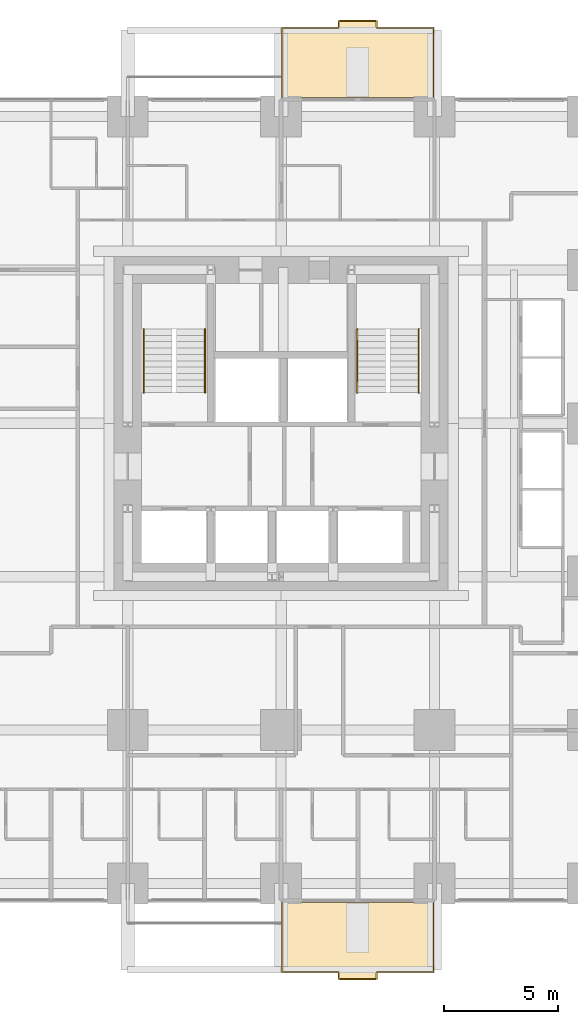
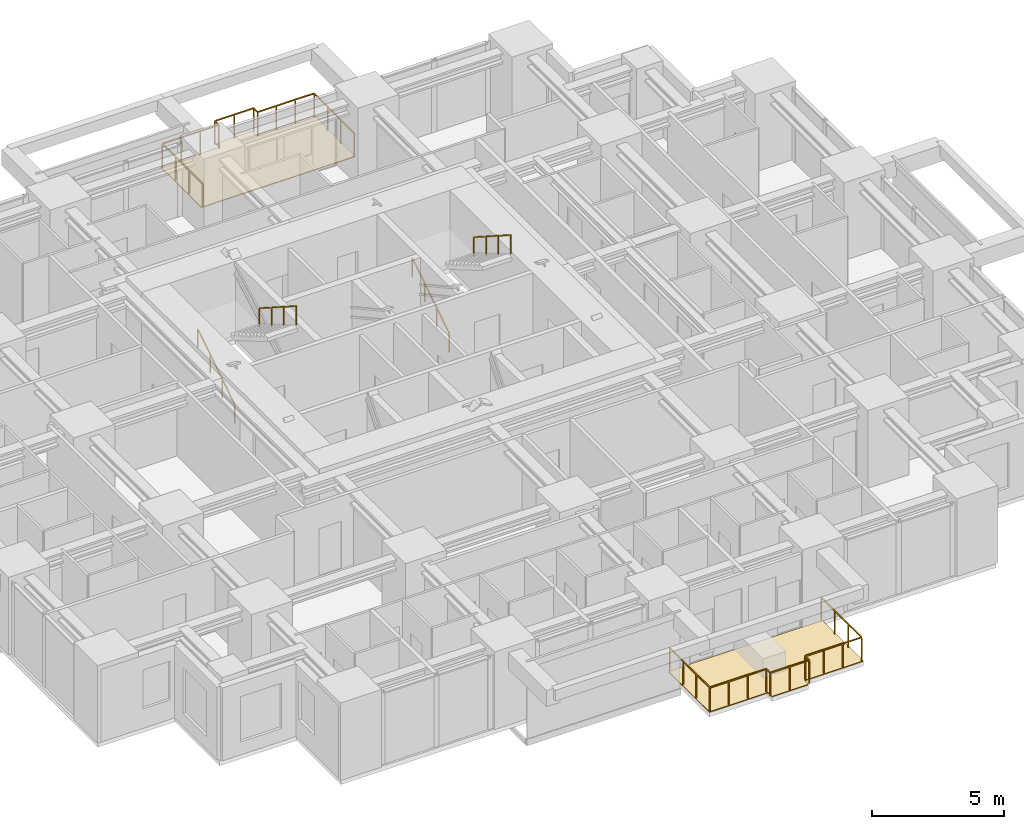
# One storey, part 13 of 13: 6 railings, 2 coverings.
"""IFC4 building model written with IfcOpenShell, lengths in metres."""

import ifcopenshell
import ifcopenshell.guid

model = None  # the IFC model being written
_history = None  # IfcOwnerHistory: only IFC2X3 demands one
_inside = {}  # id of a spatial element -> (the spatial element, [elements in it])
_under = {}  # id of a project, library or spatial element -> (it, [spatial elements below it])
_declared = {}  # id of a project -> (the project, [libraries it declares])
_typed = {}  # id of a type object -> (the type object, [elements of that type])
_made_of = {}  # id of a material, layer set ... -> (it, [elements and type objects made of it])


def new_model(schema):
    """Start an empty IFC model of exactly this schema.

    Asked for "IFC4X3", IfcOpenShell would pick the latest addendum, in which some entities
    have other attributes; the version numbers below select the first issue.
    IFC2X3 requires an IfcOwnerHistory on every rooted entity: one is made here for all.
    """
    global model, _history
    if schema == "IFC4X3":
        model = ifcopenshell.file(schema_version=(4, 3, 0, 0))
    else:
        model = ifcopenshell.file(schema=schema)
    _inside.clear()
    _under.clear()
    _declared.clear()
    _typed.clear()
    _made_of.clear()
    _history = None
    if model.schema == "IFC2X3":
        org = make("IfcOrganization", Name="unknown")
        user = make(
            "IfcPersonAndOrganization",
            ThePerson=make("IfcPerson", FamilyName="unknown"),
            TheOrganization=org,
        )
        app = make(
            "IfcApplication",
            ApplicationDeveloper=org,
            Version="unknown",
            ApplicationFullName="unknown",
            ApplicationIdentifier="unknown",
        )
        _history = make(
            "IfcOwnerHistory",
            OwningUser=user,
            OwningApplication=app,
            ChangeAction="ADDED",
            CreationDate=0,
        )
    return model


def make(cls, **values):
    """One entity of the class cls with the attributes given. An attribute that is None is left unset."""
    return model.create_entity(
        cls, **{name: value for name, value in values.items() if value is not None}
    )


def rooted(cls, **values):
    """An entity with a GlobalId (a new one), such as an element, a storey or a relation."""
    return make(cls, GlobalId=ifcopenshell.guid.new(), OwnerHistory=_history, **values)


def si_unit(unit_type, name, prefix=None):
    """IfcSIUnit, for example si_unit("LENGTHUNIT", "METRE", prefix="MILLI")."""
    return make("IfcSIUnit", UnitType=unit_type, Prefix=prefix, Name=name)


def assignment(units):
    """IfcUnitAssignment: the units of a project."""
    return None if units is None else make("IfcUnitAssignment", Units=units)


def point(xyz):
    """IfcCartesianPoint."""
    return None if xyz is None else make("IfcCartesianPoint", Coordinates=xyz)


def direction(xyz):
    """IfcDirection."""
    return None if xyz is None else make("IfcDirection", DirectionRatios=xyz)


def frame(location, z_axis=None, x_axis=None):
    """IfcAxis2Placement3D, a coordinate frame: its origin and axes. An axis left out is left unset."""
    return make(
        "IfcAxis2Placement3D",
        Location=point(location),
        Axis=direction(z_axis),
        RefDirection=direction(x_axis),
    )


def frame_2d(location, x_axis=None):
    """IfcAxis2Placement2D, a coordinate frame in the plane: its origin and x axis."""
    return make(
        "IfcAxis2Placement2D", Location=point(location), RefDirection=direction(x_axis)
    )


def origin():
    """The frame at (0, 0, 0) with its axes left unset."""
    return frame((0.0, 0.0, 0.0))


def origin_2d():
    """The frame at (0, 0) in the plane with its x axis left unset."""
    return frame_2d((0.0, 0.0))


def place(relative_to, where):
    """IfcLocalPlacement: puts the frame where relative to a parent placement (None: the world)."""
    return make(
        "IfcLocalPlacement", PlacementRelTo=relative_to, RelativePlacement=where
    )


def context(
    kind, dimensions, precision=None, world=None, true_north=None, identifier=None
):
    """IfcGeometricRepresentationContext, for example the 3D "Model" context."""
    return make(
        "IfcGeometricRepresentationContext",
        ContextIdentifier=identifier,
        ContextType=kind,
        CoordinateSpaceDimension=dimensions,
        Precision=precision,
        WorldCoordinateSystem=world,
        TrueNorth=true_north,
    )


def subcontext(parent, identifier, kind, view, scale=None):
    """IfcGeometricRepresentationSubContext, for example "Body" below "Model"."""
    return make(
        "IfcGeometricRepresentationSubContext",
        ContextIdentifier=identifier,
        ContextType=kind,
        ParentContext=parent,
        TargetScale=scale,
        TargetView=view,
    )


def project(units=None, contexts=None):
    """IfcProject with its units and contexts."""
    return rooted(
        "IfcProject",
        Name="project",
        RepresentationContexts=contexts,
        UnitsInContext=assignment(units),
    )


def spatial(cls, under=None, at=None, **own):
    """A site, building, storey or space (cls), placed at a placement, below another one or the project."""
    s = rooted(cls, ObjectPlacement=at, **own)
    if under is not None:
        _under.setdefault(under.id(), (under, []))[1].append(s)
    return s


def polyline(points):
    """IfcPolyline through the points."""
    return make("IfcPolyline", Points=[point(p) for p in points])


def profile(cls, at=None, kind="AREA", **sizes):
    """A parametric profile (cls). Its sizes go by their IFC names, for example OverallWidth=200.0."""
    return make(cls, ProfileType=kind, Position=at, **sizes)


def rectangle(**sizes):
    """IfcRectangleProfileDef."""
    return profile("IfcRectangleProfileDef", **sizes)


def outline(outer, holes=None, kind="AREA"):
    """IfcArbitraryClosedProfileDef: a profile drawn as a closed curve; with holes, ...WithVoids."""
    if holes is None:
        return make("IfcArbitraryClosedProfileDef", ProfileType=kind, OuterCurve=outer)
    return make(
        "IfcArbitraryProfileDefWithVoids",
        ProfileType=kind,
        OuterCurve=outer,
        InnerCurves=holes,
    )


def extrude(swept, where, along, depth):
    """IfcExtrudedAreaSolid: the profile swept, set in the frame where, extruded along a direction by depth."""
    return make(
        "IfcExtrudedAreaSolid",
        SweptArea=swept,
        Position=where,
        ExtrudedDirection=direction(along),
        Depth=depth,
    )


def shape(context_of_items, identifier, shape_type, items):
    """IfcShapeRepresentation: the items that make up one representation, for example the "Body"."""
    return make(
        "IfcShapeRepresentation",
        ContextOfItems=context_of_items,
        RepresentationIdentifier=identifier,
        RepresentationType=shape_type,
        Items=items,
    )


def material(Name=None, Category=None):
    """IfcMaterial."""
    return make("IfcMaterial", Name=Name, Category=Category)


def layer(
    of_material, thickness, ventilated=None, Name=None, Category=None, Priority=None
):
    """IfcMaterialLayer: one layer of a wall or slab, of a material (None: an air gap)."""
    return make(
        "IfcMaterialLayer",
        Material=of_material,
        LayerThickness=thickness,
        IsVentilated=ventilated,
        Name=Name,
        Category=Category,
        Priority=Priority,
    )


def layer_set(layers, Name=None):
    """IfcMaterialLayerSet."""
    return make("IfcMaterialLayerSet", MaterialLayers=layers, LayerSetName=Name)


def made_of(thing, what):
    """Note that an element or type object is made of a material, layer set ...; save() writes the relation."""
    if what is not None:
        _made_of.setdefault(what.id(), (what, []))[1].append(thing)
    return thing


def type_object(cls, material=None, **own):
    """A type object (cls), such as IfcWallType, which elements share."""
    return made_of(rooted(cls, **own), material)


def element(
    cls,
    number,
    at=None,
    inside=None,
    cuts=None,
    type_object=None,
    material=None,
    context=None,
    identifier="Body",
    shape_type=None,
    held_by="IfcProductDefinitionShape",
    body=None,
    shapes=None,
    **own,
):
    """One element of the class cls, such as IfcWall. Its Tag is "e" and its number.

    at: its placement. inside: the storey or other place that contains it. cuts: it is an
    opening in that element (IfcRelVoidsElement). A single representation is given by context,
    identifier, shape_type and body (its items); several are given by shapes. held_by: the class
    of the entity that holds the representations. save() writes the other relations.
    """
    e = rooted(cls, Tag="e%d" % number, ObjectPlacement=at, **own)
    if body is not None:
        shapes = [shape(context, identifier, shape_type, body)]
    if shapes is not None:
        e.Representation = make(held_by, Representations=shapes)
    if inside is not None:
        _inside.setdefault(inside.id(), (inside, []))[1].append(e)
    if cuts is not None:
        rooted(
            "IfcRelVoidsElement", RelatingBuildingElement=cuts, RelatedOpeningElement=e
        )
    if type_object is not None:
        _typed.setdefault(type_object.id(), (type_object, []))[1].append(e)
    return made_of(e, material)


def aggregate(whole, parts):
    """IfcRelAggregates: a whole, such as a stair, and the parts it consists of."""
    return rooted("IfcRelAggregates", RelatingObject=whole, RelatedObjects=parts)


def save(model, path):
    """Write the relations noted so far, then the file.

    IfcRelAggregates (storeys below a building ...), IfcRelContainedInSpatialStructure (elements
    in a storey), IfcRelDefinesByType, IfcRelAssociatesMaterial and IfcRelDeclares: one each for
    every whole, place, type object, material and project.
    """
    for whole, parts in _under.values():
        aggregate(whole, parts)
    for where, things in _inside.values():
        rooted(
            "IfcRelContainedInSpatialStructure",
            RelatedElements=things,
            RelatingStructure=where,
        )
    for kind, things in _typed.values():
        rooted("IfcRelDefinesByType", RelatedObjects=things, RelatingType=kind)
    for what, things in _made_of.values():
        rooted("IfcRelAssociatesMaterial", RelatedObjects=things, RelatingMaterial=what)
    for by, libraries in _declared.values():
        rooted("IfcRelDeclares", RelatingContext=by, RelatedDefinitions=libraries)
    model.write(path)


model = new_model("IFC4")

# Units and contexts
model_context = context("Model", 3, precision=1e-05, world=origin(), true_north=direction((0.0, 1.0)))
body_context = subcontext(model_context, "Body", "Model", "MODEL_VIEW")
ifc_project = project(units=[si_unit("LENGTHUNIT", "METRE"), si_unit("AREAUNIT", "SQUARE_METRE"), si_unit("VOLUMEUNIT", "CUBIC_METRE"), si_unit("PLANEANGLEUNIT", "RADIAN"), si_unit("MASSUNIT", "GRAM", prefix="KILO")], contexts=[model_context])

# Site, building, storey
site_placement = place(None, origin())
site = spatial("IfcSite", under=ifc_project, at=site_placement, CompositionType="ELEMENT")
building_placement = place(site_placement, origin())
building = spatial("IfcBuilding", under=site, at=building_placement, Name="Nyansa Garden Tower", CompositionType="ELEMENT")
storey_placement = place(building_placement, frame((0.0, 0.0, 105.300048828125)))
storey = spatial("IfcBuildingStorey", under=building, at=storey_placement, Name="L28", CompositionType="ELEMENT", Elevation=105.300048828125)

# Coverings
ifc_material_1 = material(Name="Hardwood decking on pedestals", Category="wood")
ifc_layer = layer(ifc_material_1, 0.0400390625)
ifc_layer_set = layer_set([ifc_layer], Name="Balcony decking DK40")
covering_type = type_object("IfcCoveringType", Name="Balcony decking DK40", PredefinedType="FLOORING", material=ifc_layer_set)
covering_1_placement = place(storey_placement, frame((0.0, 0.0, -0.0400390625)))
element("IfcCovering", 1, at=covering_1_placement, inside=storey, type_object=covering_type, Name="Balcony decking L28", PredefinedType="FLOORING", context=body_context, shape_type="SweptSolid", body=[
    extrude(outline(polyline([(20.25, -0.85009765625), (27.0, -0.85009765625), (27.0, -3.949951171875), (24.425048828125, -3.949951171875), (24.425048828125, -4.25), (22.824951171875, -4.25), (22.824951171875, -3.949951171875), (20.25, -3.949951171875), (20.25, -0.85009765625)])), origin(), (0.0, 0.0, 1.0), 0.0400390625),
])
covering_2_placement = place(storey_placement, frame((0.0, 0.0, -0.0400390625)))
element("IfcCovering", 2, at=covering_2_placement, inside=storey, type_object=covering_type, Name="Balcony decking L28", PredefinedType="FLOORING", context=body_context, shape_type="SweptSolid", body=[
    extrude(outline(polyline([(20.25, 34.60009765625), (27.0, 34.60009765625), (27.0, 37.699951171875), (24.425048828125, 37.699951171875), (24.425048828125, 38.0), (22.824951171875, 38.0), (22.824951171875, 37.699951171875), (20.25, 37.699951171875), (20.25, 34.60009765625)])), origin(), (0.0, 0.0, 1.0), 0.0400390625),
])

# Railings
ifc_material_2 = material(Name="Black powder-coated steel balusters, laminated glass infill", Category="steel")
railing_type_1 = type_object("IfcRailingType", Name="Balcony guard G1", PredefinedType="GUARDRAIL", material=ifc_material_2)
railing_1_placement = place(storey_placement, frame((20.300048828125, -0.85009765625, 0.0)))
element("IfcRailing", 3, at=railing_1_placement, inside=storey, type_object=railing_type_1, Name="Balcony guard L28", PredefinedType="GUARDRAIL", context=body_context, shape_type="SweptSolid", body=[
    extrude(rectangle(XDim=0.048095703125, YDim=0.048095703125, at=origin_2d()), frame((0.0, 0.0, 1.076171875), z_axis=(0.0, -1.0, 0.0), x_axis=(1.0, 0.0, 0.0)), (0.0, 0.0, 1.0), 3.0498046875),
    extrude(rectangle(XDim=0.048095703125, YDim=0.048095703125, at=origin_2d()), frame((0.0, -3.0498046875, 1.076171875), z_axis=(1.0, 0.0, 0.0), x_axis=(0.0, 1.0, 0.0)), (0.0, 0.0, 1.0), 2.474853515625),
    extrude(rectangle(XDim=0.048095703125, YDim=0.048095703125, at=origin_2d()), frame((2.474853515625, -3.0498046875, 1.076171875), z_axis=(0.0, -1.0, 0.0), x_axis=(1.0, 0.0, 0.0)), (0.0, 0.0, 1.0), 0.300048828125),
    extrude(rectangle(XDim=0.048095703125, YDim=0.048095703125, at=origin_2d()), frame((2.474853515625, -3.349853515625, 1.076171875), z_axis=(1.0, 0.0, 0.0), x_axis=(0.0, 1.0, 0.0)), (0.0, 0.0, 1.0), 1.7001953125),
    extrude(rectangle(XDim=0.048095703125, YDim=0.048095703125, at=origin_2d()), frame((4.175048828125, -3.349853515625, 1.076171875), z_axis=(0.0, 1.0, 0.0), x_axis=(-1.0, 0.0, 0.0)), (0.0, 0.0, 1.0), 0.300048828125),
    extrude(rectangle(XDim=0.048095703125, YDim=0.048095703125, at=origin_2d()), frame((4.175048828125, -3.0498046875, 1.076171875), z_axis=(1.0, 0.0, 0.0), x_axis=(0.0, 1.0, 0.0)), (0.0, 0.0, 1.0), 2.474853515625),
    extrude(rectangle(XDim=0.048095703125, YDim=0.048095703125, at=origin_2d()), frame((6.64990234375, -3.0498046875, 1.076171875), z_axis=(0.0, 1.0, 0.0), x_axis=(-1.0, 0.0, 0.0)), (0.0, 0.0, 1.0), 3.0498046875),
    extrude(rectangle(XDim=0.0419921875, YDim=0.0419921875, at=origin_2d()), origin(), (0.0, 0.0, 1.0), 1.052001953125),
    extrude(rectangle(XDim=0.0419921875, YDim=0.0419921875, at=origin_2d()), frame((0.0, -1.0166015625, 0.0)), (0.0, 0.0, 1.0), 1.052001953125),
    extrude(rectangle(XDim=0.0419921875, YDim=0.0419921875, at=origin_2d()), frame((0.0, -2.033203125, 0.0)), (0.0, 0.0, 1.0), 1.052001953125),
    extrude(rectangle(XDim=0.0419921875, YDim=0.0419921875, at=origin_2d()), frame((0.0, -3.0498046875, 0.0)), (0.0, 0.0, 1.0), 1.052001953125),
    extrude(rectangle(XDim=0.0419921875, YDim=0.0419921875, at=origin_2d()), frame((0.824951171875, -3.0498046875, 0.0)), (0.0, 0.0, 1.0), 1.052001953125),
    extrude(rectangle(XDim=0.0419921875, YDim=0.0419921875, at=origin_2d()), frame((1.64990234375, -3.0498046875, 0.0)), (0.0, 0.0, 1.0), 1.052001953125),
    extrude(rectangle(XDim=0.0419921875, YDim=0.0419921875, at=origin_2d()), frame((2.474853515625, -3.0498046875, 0.0)), (0.0, 0.0, 1.0), 1.052001953125),
    extrude(rectangle(XDim=0.0419921875, YDim=0.0419921875, at=origin_2d()), frame((2.474853515625, -3.349853515625, 0.0)), (0.0, 0.0, 1.0), 1.052001953125),
    extrude(rectangle(XDim=0.0419921875, YDim=0.0419921875, at=origin_2d()), frame((3.324951171875, -3.349853515625, 0.0)), (0.0, 0.0, 1.0), 1.052001953125),
    extrude(rectangle(XDim=0.0419921875, YDim=0.0419921875, at=origin_2d()), frame((4.175048828125, -3.349853515625, 0.0)), (0.0, 0.0, 1.0), 1.052001953125),
    extrude(rectangle(XDim=0.0419921875, YDim=0.0419921875, at=origin_2d()), frame((4.175048828125, -3.0498046875, 0.0)), (0.0, 0.0, 1.0), 1.052001953125),
    extrude(rectangle(XDim=0.0419921875, YDim=0.0419921875, at=origin_2d()), frame((5.0, -3.0498046875, 0.0)), (0.0, 0.0, 1.0), 1.052001953125),
    extrude(rectangle(XDim=0.0419921875, YDim=0.0419921875, at=origin_2d()), frame((5.824951171875, -3.0498046875, 0.0)), (0.0, 0.0, 1.0), 1.052001953125),
    extrude(rectangle(XDim=0.0419921875, YDim=0.0419921875, at=origin_2d()), frame((6.64990234375, -3.0498046875, 0.0)), (0.0, 0.0, 1.0), 1.052001953125),
    extrude(rectangle(XDim=0.0419921875, YDim=0.0419921875, at=origin_2d()), frame((6.64990234375, -2.033203125, 0.0)), (0.0, 0.0, 1.0), 1.052001953125),
    extrude(rectangle(XDim=0.0419921875, YDim=0.0419921875, at=origin_2d()), frame((6.64990234375, -1.0166015625, 0.0)), (0.0, 0.0, 1.0), 1.052001953125),
    extrude(rectangle(XDim=0.0419921875, YDim=0.0419921875, at=origin_2d()), frame((6.64990234375, 0.0, 0.0)), (0.0, 0.0, 1.0), 1.052001953125),
])
railing_2_placement = place(storey_placement, frame((20.300048828125, 34.60009765625, 0.0)))
element("IfcRailing", 4, at=railing_2_placement, inside=storey, type_object=railing_type_1, Name="Balcony guard L28", PredefinedType="GUARDRAIL", context=body_context, shape_type="SweptSolid", body=[
    extrude(rectangle(XDim=0.048095703125, YDim=0.048095703125, at=origin_2d()), frame((0.0, 0.0, 1.076171875), z_axis=(0.0, 1.0, 0.0), x_axis=(-1.0, 0.0, 0.0)), (0.0, 0.0, 1.0), 3.0498046875),
    extrude(rectangle(XDim=0.048095703125, YDim=0.048095703125, at=origin_2d()), frame((0.0, 3.0498046875, 1.076171875), z_axis=(1.0, 0.0, 0.0), x_axis=(0.0, 1.0, 0.0)), (0.0, 0.0, 1.0), 2.474853515625),
    extrude(rectangle(XDim=0.048095703125, YDim=0.048095703125, at=origin_2d()), frame((2.474853515625, 3.0498046875, 1.076171875), z_axis=(0.0, 1.0, 0.0), x_axis=(-1.0, 0.0, 0.0)), (0.0, 0.0, 1.0), 0.300048828125),
    extrude(rectangle(XDim=0.048095703125, YDim=0.048095703125, at=origin_2d()), frame((2.474853515625, 3.349853515625, 1.076171875), z_axis=(1.0, 0.0, 0.0), x_axis=(0.0, 1.0, 0.0)), (0.0, 0.0, 1.0), 1.7001953125),
    extrude(rectangle(XDim=0.048095703125, YDim=0.048095703125, at=origin_2d()), frame((4.175048828125, 3.349853515625, 1.076171875), z_axis=(0.0, -1.0, 0.0), x_axis=(1.0, 0.0, 0.0)), (0.0, 0.0, 1.0), 0.300048828125),
    extrude(rectangle(XDim=0.048095703125, YDim=0.048095703125, at=origin_2d()), frame((4.175048828125, 3.0498046875, 1.076171875), z_axis=(1.0, 0.0, 0.0), x_axis=(0.0, 1.0, 0.0)), (0.0, 0.0, 1.0), 2.474853515625),
    extrude(rectangle(XDim=0.048095703125, YDim=0.048095703125, at=origin_2d()), frame((6.64990234375, 3.0498046875, 1.076171875), z_axis=(0.0, -1.0, 0.0), x_axis=(1.0, 0.0, 0.0)), (0.0, 0.0, 1.0), 3.0498046875),
    extrude(rectangle(XDim=0.0419921875, YDim=0.0419921875, at=origin_2d()), origin(), (0.0, 0.0, 1.0), 1.052001953125),
    extrude(rectangle(XDim=0.0419921875, YDim=0.0419921875, at=origin_2d()), frame((0.0, 1.0166015625, 0.0)), (0.0, 0.0, 1.0), 1.052001953125),
    extrude(rectangle(XDim=0.0419921875, YDim=0.0419921875, at=origin_2d()), frame((0.0, 2.033203125, 0.0)), (0.0, 0.0, 1.0), 1.052001953125),
    extrude(rectangle(XDim=0.0419921875, YDim=0.0419921875, at=origin_2d()), frame((0.0, 3.0498046875, 0.0)), (0.0, 0.0, 1.0), 1.052001953125),
    extrude(rectangle(XDim=0.0419921875, YDim=0.0419921875, at=origin_2d()), frame((0.824951171875, 3.0498046875, 0.0)), (0.0, 0.0, 1.0), 1.052001953125),
    extrude(rectangle(XDim=0.0419921875, YDim=0.0419921875, at=origin_2d()), frame((1.64990234375, 3.0498046875, 0.0)), (0.0, 0.0, 1.0), 1.052001953125),
    extrude(rectangle(XDim=0.0419921875, YDim=0.0419921875, at=origin_2d()), frame((2.474853515625, 3.0498046875, 0.0)), (0.0, 0.0, 1.0), 1.052001953125),
    extrude(rectangle(XDim=0.0419921875, YDim=0.0419921875, at=origin_2d()), frame((2.474853515625, 3.349853515625, 0.0)), (0.0, 0.0, 1.0), 1.052001953125),
    extrude(rectangle(XDim=0.0419921875, YDim=0.0419921875, at=origin_2d()), frame((3.324951171875, 3.349853515625, 0.0)), (0.0, 0.0, 1.0), 1.052001953125),
    extrude(rectangle(XDim=0.0419921875, YDim=0.0419921875, at=origin_2d()), frame((4.175048828125, 3.349853515625, 0.0)), (0.0, 0.0, 1.0), 1.052001953125),
    extrude(rectangle(XDim=0.0419921875, YDim=0.0419921875, at=origin_2d()), frame((4.175048828125, 3.0498046875, 0.0)), (0.0, 0.0, 1.0), 1.052001953125),
    extrude(rectangle(XDim=0.0419921875, YDim=0.0419921875, at=origin_2d()), frame((5.0, 3.0498046875, 0.0)), (0.0, 0.0, 1.0), 1.052001953125),
    extrude(rectangle(XDim=0.0419921875, YDim=0.0419921875, at=origin_2d()), frame((5.824951171875, 3.0498046875, 0.0)), (0.0, 0.0, 1.0), 1.052001953125),
    extrude(rectangle(XDim=0.0419921875, YDim=0.0419921875, at=origin_2d()), frame((6.64990234375, 3.0498046875, 0.0)), (0.0, 0.0, 1.0), 1.052001953125),
    extrude(rectangle(XDim=0.0419921875, YDim=0.0419921875, at=origin_2d()), frame((6.64990234375, 2.033203125, 0.0)), (0.0, 0.0, 1.0), 1.052001953125),
    extrude(rectangle(XDim=0.0419921875, YDim=0.0419921875, at=origin_2d()), frame((6.64990234375, 1.0166015625, 0.0)), (0.0, 0.0, 1.0), 1.052001953125),
    extrude(rectangle(XDim=0.0419921875, YDim=0.0419921875, at=origin_2d()), frame((6.64990234375, 0.0, 0.0)), (0.0, 0.0, 1.0), 1.052001953125),
])
ifc_material_3 = material(Name="Black powder-coated steel tube 48 mm", Category="steel")
railing_type_2 = type_object("IfcRailingType", Name="Stair handrail HR1", PredefinedType="HANDRAIL", material=ifc_material_3)
railing_3_placement = place(storey_placement, frame((14.199951171875, 21.60009765625, 0.0)))
element("IfcRailing", 5, at=railing_3_placement, inside=storey, type_object=railing_type_2, Name="Stair S1 handrail L28", PredefinedType="HANDRAIL", context=body_context, shape_type="SweptSolid", body=[
    extrude(rectangle(XDim=0.048095703125, YDim=0.048095703125, at=origin_2d()), frame((0.0, 0.0, 0.8759765625), z_axis=(0.0, 0.841154643086, 0.54079466197), x_axis=(-1.0, 0.0, 0.0)), (0.0, 0.0, 1.0), 3.32861328125),
    extrude(rectangle(XDim=0.0419921875, YDim=0.0419921875, at=origin_2d()), origin(), (0.0, 0.0, 1.0), 0.851806640625),
    extrude(rectangle(XDim=0.0419921875, YDim=0.0419921875, at=origin_2d()), frame((0.0, 0.933349609375, 0.60009765625)), (0.0, 0.0, 1.0), 0.851806640625),
    extrude(rectangle(XDim=0.0419921875, YDim=0.0419921875, at=origin_2d()), frame((0.0, 1.866455078125, 1.199951171875)), (0.0, 0.0, 1.0), 0.851806640625),
    extrude(rectangle(XDim=0.0419921875, YDim=0.0419921875, at=origin_2d()), frame((0.0, 2.7998046875, 1.800048828125)), (0.0, 0.0, 1.0), 0.851806640625),
])
railing_4_placement = place(storey_placement, frame((16.89990234375, 24.39990234375, 1.800048828125)))
element("IfcRailing", 6, at=railing_4_placement, inside=storey, type_object=railing_type_2, Name="Stair S1 handrail L28", PredefinedType="HANDRAIL", context=body_context, shape_type="SweptSolid", body=[
    extrude(rectangle(XDim=0.048095703125, YDim=0.048095703125, at=origin_2d()), frame((0.0, 0.0, 0.8759765625), z_axis=(0.0, -0.841188008214, 0.540742762169), x_axis=(1.0, 0.0, 0.0)), (0.0, 0.0, 1.0), 3.328369140625),
    extrude(rectangle(XDim=0.0419921875, YDim=0.0419921875, at=origin_2d()), origin(), (0.0, 0.0, 1.0), 0.851806640625),
    extrude(rectangle(XDim=0.0419921875, YDim=0.0419921875, at=origin_2d()), frame((0.0, -0.933349609375, 0.599853515625)), (0.0, 0.0, 1.0), 0.851806640625),
    extrude(rectangle(XDim=0.0419921875, YDim=0.0419921875, at=origin_2d()), frame((0.0, -1.866455078125, 1.199951171875)), (0.0, 0.0, 1.0), 0.851806640625),
    extrude(rectangle(XDim=0.0419921875, YDim=0.0419921875, at=origin_2d()), frame((0.0, -2.7998046875, 1.7998046875)), (0.0, 0.0, 1.0), 0.851806640625),
])
railing_5_placement = place(storey_placement, frame((23.60009765625, 21.60009765625, 0.0)))
element("IfcRailing", 7, at=railing_5_placement, inside=storey, type_object=railing_type_2, Name="Stair S2 handrail L28", PredefinedType="HANDRAIL", context=body_context, shape_type="SweptSolid", body=[
    extrude(rectangle(XDim=0.048095703125, YDim=0.048095703125, at=origin_2d()), frame((0.0, 0.0, 0.8759765625), z_axis=(0.0, 0.841154643086, 0.54079466197), x_axis=(-1.0, 0.0, 0.0)), (0.0, 0.0, 1.0), 3.32861328125),
    extrude(rectangle(XDim=0.0419921875, YDim=0.0419921875, at=origin_2d()), origin(), (0.0, 0.0, 1.0), 0.851806640625),
    extrude(rectangle(XDim=0.0419921875, YDim=0.0419921875, at=origin_2d()), frame((0.0, 0.933349609375, 0.60009765625)), (0.0, 0.0, 1.0), 0.851806640625),
    extrude(rectangle(XDim=0.0419921875, YDim=0.0419921875, at=origin_2d()), frame((0.0, 1.866455078125, 1.199951171875)), (0.0, 0.0, 1.0), 0.851806640625),
    extrude(rectangle(XDim=0.0419921875, YDim=0.0419921875, at=origin_2d()), frame((0.0, 2.7998046875, 1.800048828125)), (0.0, 0.0, 1.0), 0.851806640625),
])
railing_6_placement = place(storey_placement, frame((26.300048828125, 24.39990234375, 1.800048828125)))
element("IfcRailing", 8, at=railing_6_placement, inside=storey, type_object=railing_type_2, Name="Stair S2 handrail L28", PredefinedType="HANDRAIL", context=body_context, shape_type="SweptSolid", body=[
    extrude(rectangle(XDim=0.048095703125, YDim=0.048095703125, at=origin_2d()), frame((0.0, 0.0, 0.8759765625), z_axis=(0.0, -0.841188008214, 0.540742762169), x_axis=(1.0, 0.0, 0.0)), (0.0, 0.0, 1.0), 3.328369140625),
    extrude(rectangle(XDim=0.0419921875, YDim=0.0419921875, at=origin_2d()), origin(), (0.0, 0.0, 1.0), 0.851806640625),
    extrude(rectangle(XDim=0.0419921875, YDim=0.0419921875, at=origin_2d()), frame((0.0, -0.933349609375, 0.599853515625)), (0.0, 0.0, 1.0), 0.851806640625),
    extrude(rectangle(XDim=0.0419921875, YDim=0.0419921875, at=origin_2d()), frame((0.0, -1.866455078125, 1.199951171875)), (0.0, 0.0, 1.0), 0.851806640625),
    extrude(rectangle(XDim=0.0419921875, YDim=0.0419921875, at=origin_2d()), frame((0.0, -2.7998046875, 1.7998046875)), (0.0, 0.0, 1.0), 0.851806640625),
])

save(model, "model.ifc")
